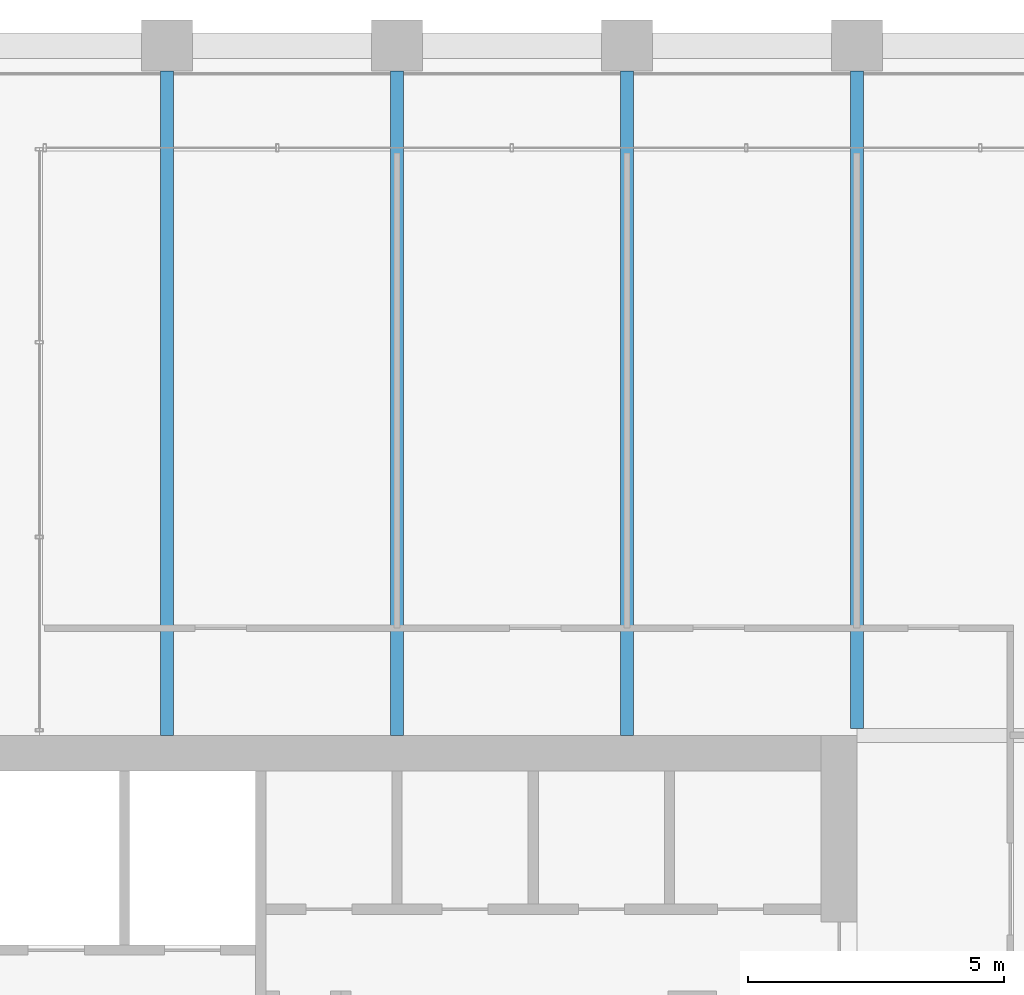
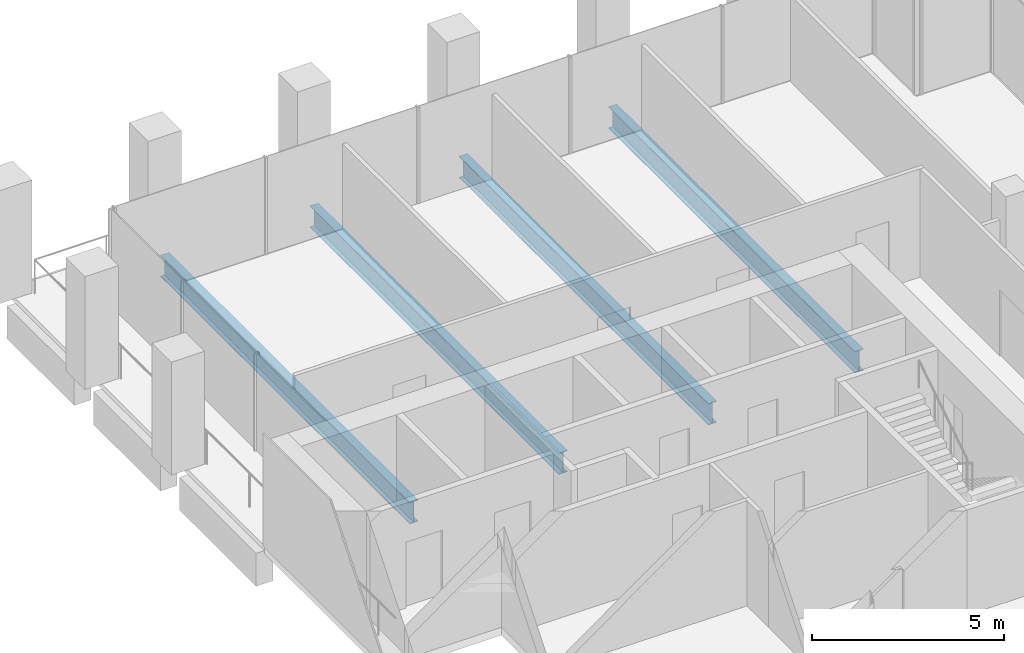
# One storey, part 22 of 46: 4 beams.
"""IFC4 building model written with IfcOpenShell, lengths in metres."""

from ifc_helpers import new_model, si_unit, direction, frame, origin, origin_2d, place, context, subcontext, project, spatial, i_section, extrude, material, material_profile, profile_set, type_object, element, save


model = new_model("IFC4")

# Units and contexts
model_context = context("Model", 3, precision=1e-05, world=origin(), true_north=direction((0.0, 1.0)))
body_context = subcontext(model_context, "Body", "Model", "MODEL_VIEW")
ifc_project = project(units=[si_unit("LENGTHUNIT", "METRE"), si_unit("AREAUNIT", "SQUARE_METRE"), si_unit("VOLUMEUNIT", "CUBIC_METRE"), si_unit("PLANEANGLEUNIT", "RADIAN"), si_unit("MASSUNIT", "GRAM", prefix="KILO")], contexts=[model_context])

# Site, building, storey
site_placement = place(None, origin())
site = spatial("IfcSite", under=ifc_project, at=site_placement, CompositionType="ELEMENT")
building_placement = place(site_placement, origin())
building = spatial("IfcBuilding", under=site, at=building_placement, Name="Altepetl Exchange Towers", CompositionType="ELEMENT")
storey_placement = place(building_placement, frame((0.0, 0.0, 124.39990234375)))
storey = spatial("IfcBuildingStorey", under=building, at=storey_placement, Name="L30", CompositionType="ELEMENT", Elevation=124.39990234375)

# Beams
ifc_material = material(Name="Steel S355", Category="steel")
ifc_material_profile = material_profile(ifc_material, i_section(OverallWidth=0.25390625, OverallDepth=0.68408203125, WebThickness=0.012451171875, FlangeThickness=0.018798828125, at=origin_2d()), Name="W27X94")
ifc_profile_set = profile_set([ifc_material_profile], Name="Steel S355")
beam_type = type_object("IfcBeamType", Name="Floor beam W27X94", PredefinedType="BEAM", material=ifc_profile_set)
for number, where, z_axis, x_axis, name in (
    (1, (45.0, 58.5, -0.491943359375), (0.0, 1.0, 0.0), (-1.0, 0.0, 0.0), "bm:A:L30:000"),
    (2, (49.5, 58.5, -0.491943359375), (0.0, 1.0, 0.0), (-1.0, 0.0, 0.0), "bm:A:L30:001"),
    (3, (54.0, 58.5, -0.491943359375), (0.0, 1.0, 0.0), (-1.0, 0.0, 0.0), "bm:A:L30:002"),
):
    element("IfcBeam", number, at=place(storey_placement, frame(where, z_axis=z_axis, x_axis=x_axis)), inside=storey, type_object=beam_type, Name=name, PredefinedType="BEAM", context=body_context, shape_type="SweptSolid", body=[
        extrude(i_section(OverallWidth=0.25390625, OverallDepth=0.68408203125, WebThickness=0.012451171875, FlangeThickness=0.018798828125, at=origin_2d()), origin(), (0.0, 0.0, 1.0), 13.0),
    ])
beam_placement = place(storey_placement, frame((58.5, 58.634033203125, -0.491943359375), z_axis=(0.0, 1.0, 0.0), x_axis=(-1.0, 0.0, 0.0)))
element("IfcBeam", 4, at=beam_placement, inside=storey, type_object=beam_type, Name="bm:A:L30:003", PredefinedType="BEAM", context=body_context, shape_type="SweptSolid", body=[
    extrude(i_section(OverallWidth=0.25390625, OverallDepth=0.68408203125, WebThickness=0.012451171875, FlangeThickness=0.018798828125, at=origin_2d()), origin(), (0.0, 0.0, 1.0), 12.865966796875),
])

save(model, "model.ifc")
